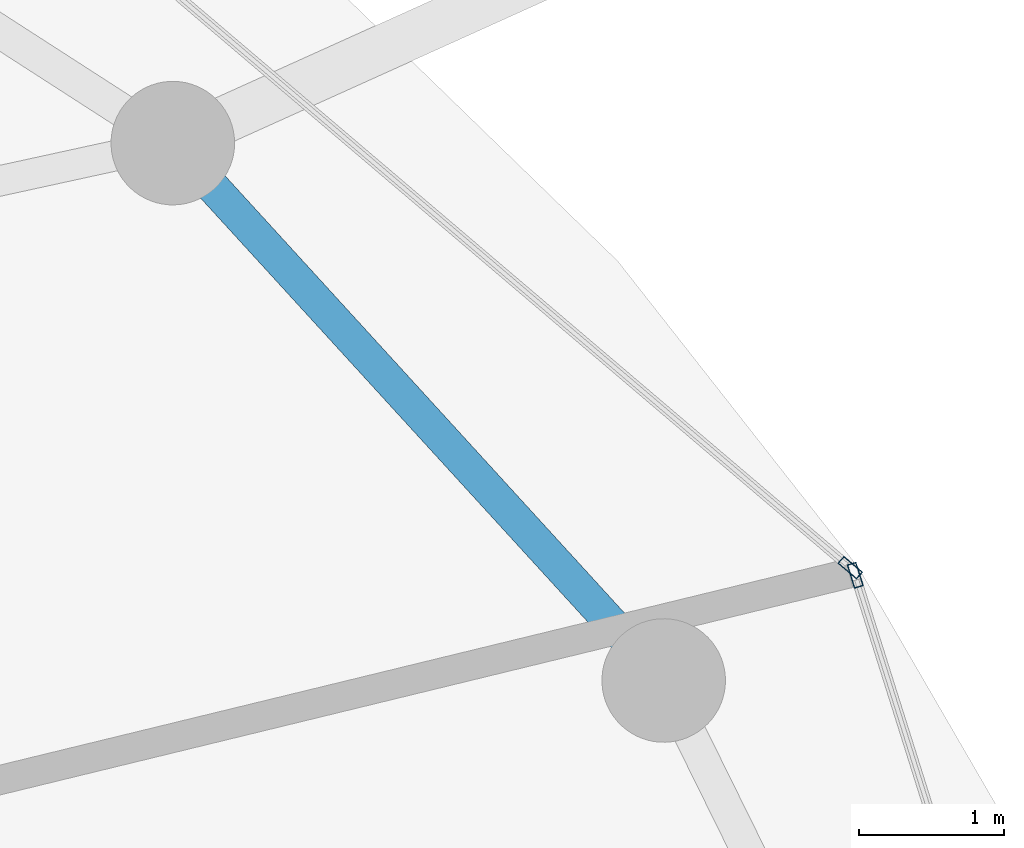
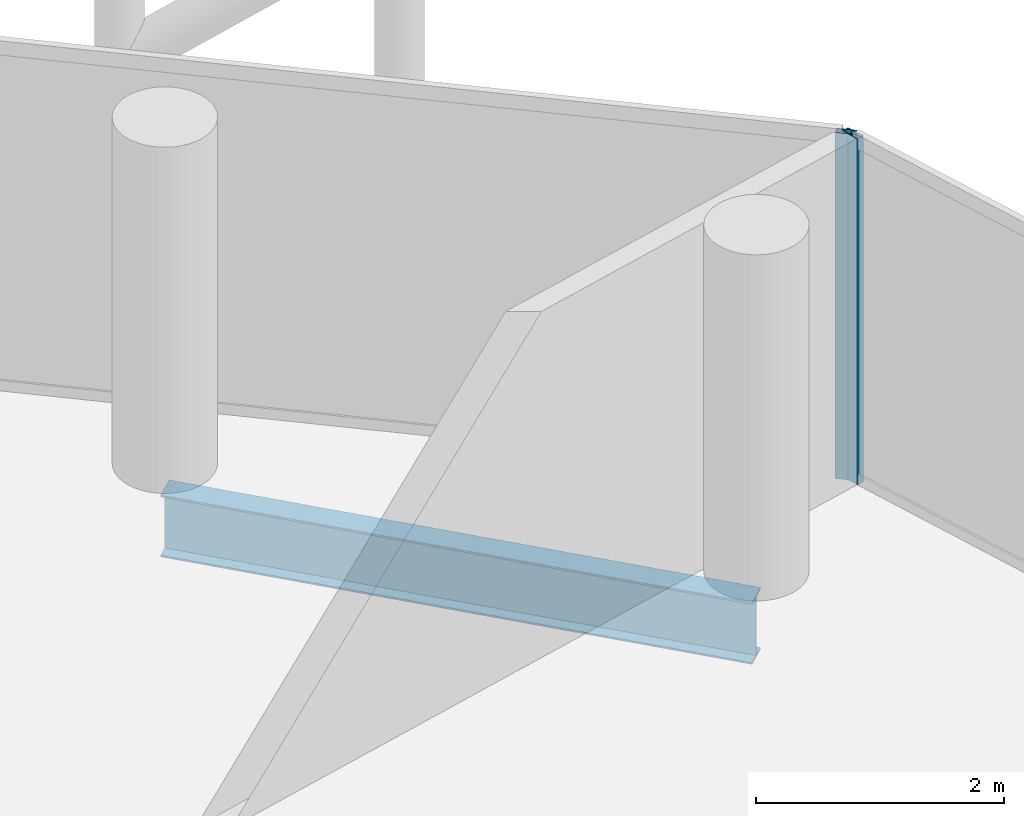
# One storey, part 17 of 28: 2 members, 1 beam, 2 elements without a shape of their own.
"""IFC4 building model written with IfcOpenShell, lengths in metres."""

from ifc_helpers import new_model, si_unit, direction, frame, origin, origin_2d, place, context, subcontext, project, spatial, hollow_rectangle, i_section, extrude, material, layer, layer_set, material_profile, profile_set, type_object, element, aggregate, save


model = new_model("IFC4")

# Units and contexts
model_context = context("Model", 3, precision=1e-05, world=origin(), true_north=direction((0.0, 1.0)))
body_context = subcontext(model_context, "Body", "Model", "MODEL_VIEW")
ifc_project = project(units=[si_unit("LENGTHUNIT", "METRE"), si_unit("AREAUNIT", "SQUARE_METRE"), si_unit("VOLUMEUNIT", "CUBIC_METRE"), si_unit("PLANEANGLEUNIT", "RADIAN"), si_unit("MASSUNIT", "GRAM", prefix="KILO")], contexts=[model_context])

# Site, building, storey
site_placement = place(None, origin())
site = spatial("IfcSite", under=ifc_project, at=site_placement, CompositionType="ELEMENT")
building_placement = place(site_placement, origin())
building = spatial("IfcBuilding", under=site, at=building_placement, Name="Nuhasar Tower", CompositionType="ELEMENT")
storey_placement = place(building_placement, frame((0.0, 0.0, 222.75)))
storey = spatial("IfcBuildingStorey", under=building, at=storey_placement, Name="L54", CompositionType="ELEMENT", Elevation=222.75)

# Beam
ifc_material_1 = material(Name="Steel S355", Category="steel")
ifc_material_profile_1 = material_profile(ifc_material_1, i_section(OverallWidth=0.22802734375, OverallDepth=0.60791015625, WebThickness=0.01123046875, FlangeThickness=0.017333984375, at=origin_2d()), Name="W24X76")
ifc_profile_set_1 = profile_set([ifc_material_profile_1], Name="Steel S355")
beam_type = type_object("IfcBeamType", Name="BM-RING-W24X76", PredefinedType="SPANDREL", material=ifc_profile_set_1)
beam_placement = place(storey_placement, frame((57.403076171875, 35.72509765625, -0.5439453125), z_axis=(-0.674449692975, 0.738320805373, 0.0), x_axis=(-0.738320805373, -0.674449692975, 0.0)))
element("IfcBeam", 1, at=beam_placement, inside=storey, type_object=beam_type, Name="L54 Perimeter Ring Spandrel 03", PredefinedType="SPANDREL", context=body_context, shape_type="SweptSolid", body=[
    extrude(i_section(OverallWidth=0.22802734375, OverallDepth=0.60791015625, WebThickness=0.01123046875, FlangeThickness=0.017333984375, at=origin_2d()), origin(), (0.0, 0.0, 1.0), 5.00732421875),
])

# Curtain wall, member
ifc_material_2 = material(Name="Aluminium 6063-T6", Category="aluminium")
ifc_layer = layer(ifc_material_2, 0.18994140625)
ifc_layer_set = layer_set([ifc_layer], Name="Aluminium 6063-T6")
curtain_wall_type = type_object("IfcCurtainWallType", Name="CW-Z3-RES", PredefinedType="NOTDEFINED", material=ifc_layer_set)
curtain_wall_1_placement = place(storey_placement, origin())
curtain_wall_1 = element("IfcCurtainWall", 2, at=curtain_wall_1_placement, inside=storey, type_object=curtain_wall_type, Name="L54 Unitised Curtain Wall 01", PredefinedType="NOTDEFINED")
ifc_material_profile_2 = material_profile(ifc_material_2, hollow_rectangle(XDim=0.06494140625, YDim=0.169921875, WallThickness=0.0048828125, at=origin_2d()), Name="CWM-4")
ifc_profile_set_2 = profile_set([ifc_material_profile_2], Name="Aluminium 6063-T6")
member_type = type_object("IfcMemberType", Name="CW-MUL-S4", PredefinedType="MULLION", material=ifc_profile_set_2)
member_1_placement = place(storey_placement, frame((58.720703125, 36.448974609375, 0.0), z_axis=(0.0, 0.0, 1.0), x_axis=(-0.95380429279, -0.30042864553, 0.0)))
member_1 = element("IfcMember", 3, at=member_1_placement, type_object=member_type, Name="CW-Z3 mullion 2", PredefinedType="MULLION", context=body_context, shape_type="SweptSolid", body=[
    extrude(hollow_rectangle(XDim=0.06494140625, YDim=0.169921875, WallThickness=0.0048828125, at=origin_2d()), origin(), (0.0, 0.0, 1.0), 3.409912109375),
])
aggregate(curtain_wall_1, [member_1])

curtain_wall_2_placement = place(storey_placement, origin())
curtain_wall_2 = element("IfcCurtainWall", 4, at=curtain_wall_2_placement, inside=storey, type_object=curtain_wall_type, Name="L54 Unitised Curtain Wall 02", PredefinedType="NOTDEFINED")
member_2_placement = place(storey_placement, frame((58.686279296875, 36.5009765625, 0.0), z_axis=(0.0, 0.0, 1.0), x_axis=(-0.64789521578, -0.761729472562, 0.0)))
member_2 = element("IfcMember", 5, at=member_2_placement, type_object=member_type, Name="CW-Z3 mullion 1", PredefinedType="MULLION", context=body_context, shape_type="SweptSolid", body=[
    extrude(hollow_rectangle(XDim=0.06494140625, YDim=0.169921875, WallThickness=0.0048828125, at=origin_2d()), origin(), (0.0, 0.0, 1.0), 3.409912109375),
])
aggregate(curtain_wall_2, [member_2])

save(model, "model.ifc")
